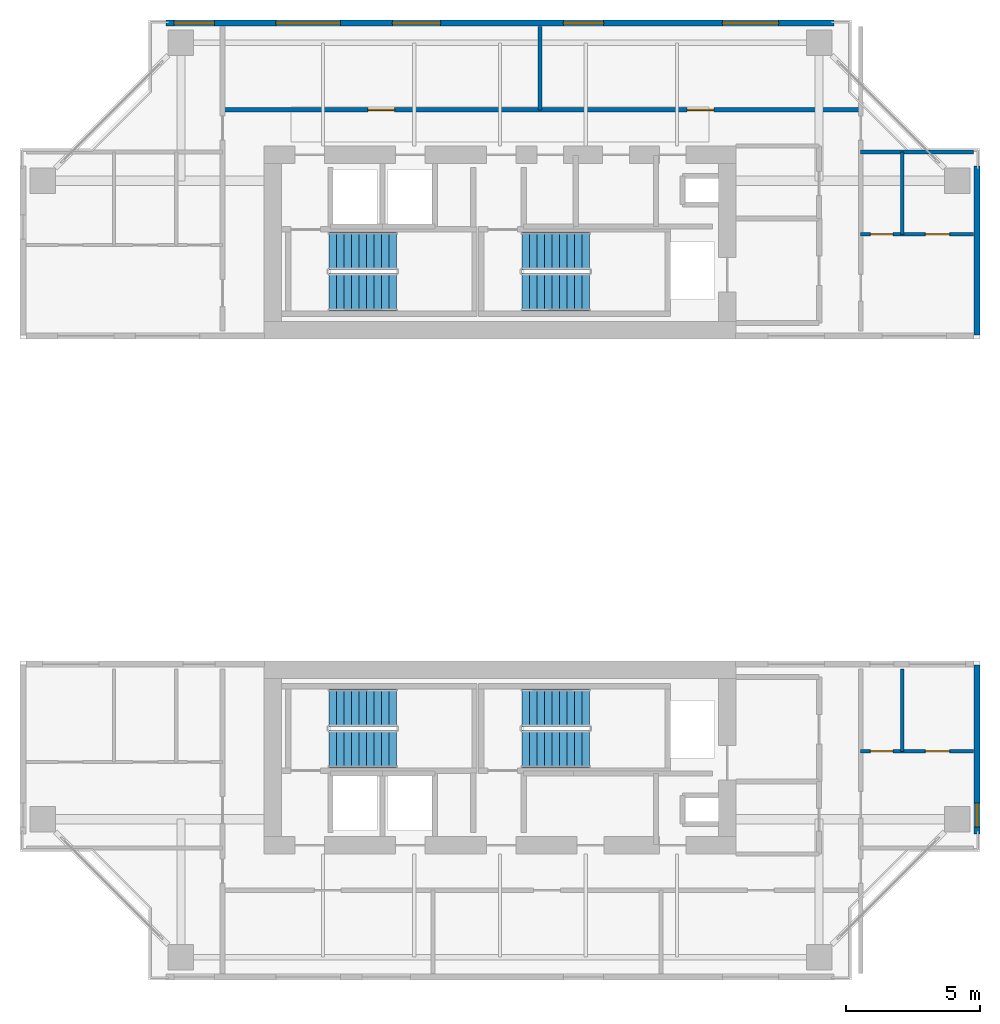
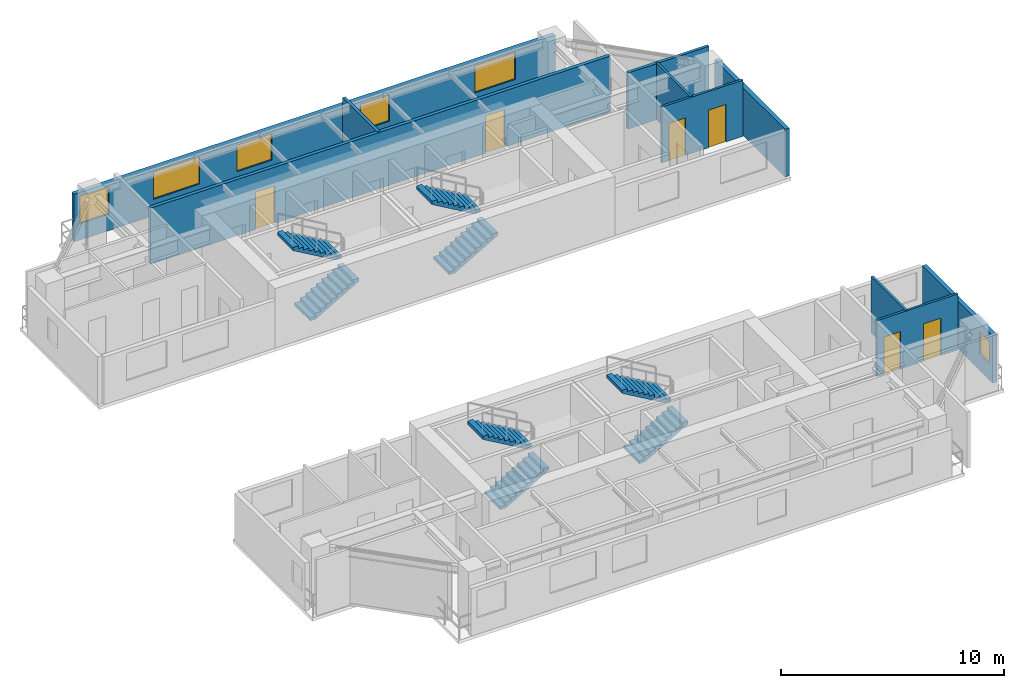
# One storey, part 10 of 12: 10 walls, 8 stair flights, 6 doors, 6 windows, 12 openings, 4 elements without a shape of their own.
"""IFC4 building model written with IfcOpenShell, lengths in metres."""

from ifc_helpers import new_model, si_unit, direction, frame, frame_2d, origin, place, context, subcontext, project, spatial, polyline, rectangle, outline, extrude, source, transform, mapped, material, layer, layer_set, type_object, element, fill, aggregate, save


model = new_model("IFC4")

# Units and contexts
model_context = context("Model", 3, precision=1e-05, world=origin(), true_north=direction((0.0, 1.0)))
body_context = subcontext(model_context, "Body", "Model", "MODEL_VIEW")
ifc_project = project(units=[si_unit("LENGTHUNIT", "METRE"), si_unit("AREAUNIT", "SQUARE_METRE"), si_unit("VOLUMEUNIT", "CUBIC_METRE"), si_unit("PLANEANGLEUNIT", "RADIAN"), si_unit("MASSUNIT", "GRAM", prefix="KILO"), si_unit("THERMODYNAMICTEMPERATUREUNIT", "KELVIN"), si_unit("POWERUNIT", "WATT")], contexts=[model_context])

# Site, building, storey
site_placement = place(None, origin())
site = spatial("IfcSite", under=ifc_project, at=site_placement, CompositionType="ELEMENT")
building_placement = place(site_placement, origin())
building = spatial("IfcBuilding", under=site, at=building_placement, Name="Qiaomeng Ring Towers", CompositionType="ELEMENT")
storey_placement = place(building_placement, frame((0.0, 0.0, 156.75)))
storey = spatial("IfcBuildingStorey", under=building, at=storey_placement, Name="L45", CompositionType="ELEMENT", Elevation=156.75)

# Wall
ifc_material_1 = material(Name="Precast concrete C40", Category="concrete")
ifc_layer_1 = layer(ifc_material_1, 0.219970703125, Name="Precast concrete C40")
ifc_layer_set_1 = layer_set([ifc_layer_1], Name="Precast concrete C40")
wall_type_1 = type_object("IfcWallType", Name="ARC-WL-EW2", PredefinedType="STANDARD", material=ifc_layer_set_1)
wall_1_placement = place(storey_placement, frame((36.7900390625, 29.14990234375, 0.0), z_axis=(0.0, 0.0, 1.0), x_axis=(0.0, 1.0, 0.0)))
element("IfcWall", 1, at=wall_1_placement, inside=storey, type_object=wall_type_1, Name="L45 Portal Wing Side Wall NWING-EL", PredefinedType="STANDARD", context=body_context, shape_type="SweptSolid", body=[
    extrude(rectangle(XDim=6.300048828125, YDim=0.219970703125, at=frame_2d((3.14990234375, 0.0))), origin(), (0.0, 0.0, 1.0), 2.610107421875),
])

# Wall, opening, window
wall_2_placement = place(storey_placement, frame((36.7900390625, 10.550048828125, 0.0), z_axis=(0.0, 0.0, 1.0), x_axis=(0.0, 1.0, 0.0)))
wall_2 = element("IfcWall", 2, at=wall_2_placement, inside=storey, type_object=wall_type_1, Name="L45 Portal Wing Side Wall SWING-EL", PredefinedType="STANDARD", context=body_context, shape_type="SweptSolid", body=[
    extrude(rectangle(XDim=6.300048828125, YDim=0.219970703125, at=frame_2d((3.14990234375, 0.0))), origin(), (0.0, 0.0, 1.0), 2.610107421875),
])
opening_1_placement = place(wall_2_placement, frame((0.25, 0.0, 0.89990234375)))
opening_1 = element("IfcOpeningElement", 3, at=opening_1_placement, cuts=wall_2, Name="Opening WN5", PredefinedType="OPENING", context=body_context, shape_type="SweptSolid", body=[
    extrude(rectangle(XDim=0.89990234375, YDim=1.199951171875, at=frame_2d((0.449951171875, 0.60009765625))), frame((0.0, 0.119873046875, 0.0), z_axis=(0.0, -1.0, 0.0), x_axis=(1.0, 0.0, 0.0)), (0.0, 0.0, 1.0), 0.239990234375),
])
ifc_material_2 = material(Name="Low-E dark-grey laminated double glazing", Category="glass")
window_type_1 = type_object("IfcWindowType", Name="ARC-WN-5", PartitioningType="SINGLE_PANEL", PredefinedType="WINDOW", material=ifc_material_2)
shared_shape_1 = source(origin(), body_context, "Body", "SweptSolid", [
    extrude(rectangle(XDim=0.89990234375, YDim=1.199951171875, at=frame_2d((0.449951171875, 0.60009765625))), frame((0.0, 0.030029296875, 0.0), z_axis=(0.0, -1.0, 0.0), x_axis=(1.0, 0.0, 0.0)), (0.0, 0.0, 1.0), 0.06005859375),
])
window_1_placement = place(opening_1_placement, origin())
window_1 = element("IfcWindow", 4, at=window_1_placement, inside=storey, type_object=window_type_1, Name="L45 Exterior Window WN5", OverallHeight=1.199951171875, OverallWidth=0.89990234375, PartitioningType="SINGLE_PANEL", PredefinedType="WINDOW", context=body_context, shape_type="MappedRepresentation", body=[
    mapped(shared_shape_1, transform((0.0, 0.0, 0.0), x_axis=(1.0, 0.0, 0.0), y_axis=(0.0, 1.0, 0.0), z_axis=(0.0, 0.0, 1.0), scale=1.0)),
])
fill(opening_1, window_1)

# Wall, openings, windows
wall_3_placement = place(storey_placement, frame((6.550048828125, 40.7900390625, 0.0), z_axis=(0.0, 0.0, 1.0), x_axis=(1.0, 0.0, 0.0)))
wall_3 = element("IfcWall", 5, at=wall_3_placement, inside=storey, type_object=wall_type_1, Name="L45 Tower 1 N Exterior Wall", PredefinedType="STANDARD", context=body_context, shape_type="SweptSolid", body=[
    extrude(rectangle(XDim=24.89990234375, YDim=0.219970703125, at=frame_2d((12.449951171875, 0.0))), origin(), (0.0, 0.0, 1.0), 2.610107421875),
])
opening_2_placement = place(wall_3_placement, frame((0.300048828125, 0.0, 0.89990234375)))
opening_2 = element("IfcOpeningElement", 6, at=opening_2_placement, cuts=wall_3, Name="Opening WN2", PredefinedType="OPENING", context=body_context, shape_type="SweptSolid", body=[
    extrude(rectangle(XDim=1.5, YDim=1.5, at=frame_2d((0.75, 0.75))), frame((0.0, 0.119873046875, 0.0), z_axis=(0.0, -1.0, 0.0), x_axis=(1.0, 0.0, 0.0)), (0.0, 0.0, 1.0), 0.239990234375),
])
opening_3_placement = place(wall_3_placement, frame((8.43798828125, 0.0, 0.89990234375)))
opening_3 = element("IfcOpeningElement", 7, at=opening_3_placement, cuts=wall_3, Name="Opening WN1", PredefinedType="OPENING", context=body_context, shape_type="SweptSolid", body=[
    extrude(rectangle(XDim=1.800048828125, YDim=1.449951171875, at=frame_2d((0.89990234375, 0.72509765625))), frame((0.0, 0.119873046875, 0.0), z_axis=(0.0, -1.0, 0.0), x_axis=(1.0, 0.0, 0.0)), (0.0, 0.0, 1.0), 0.239990234375),
])
opening_4_placement = place(wall_3_placement, frame((14.81298828125, 0.0, 0.89990234375)))
opening_4 = element("IfcOpeningElement", 8, at=opening_4_placement, cuts=wall_3, Name="Opening WN2", PredefinedType="OPENING", context=body_context, shape_type="SweptSolid", body=[
    extrude(rectangle(XDim=1.5, YDim=1.449951171875, at=frame_2d((0.75, 0.72509765625))), frame((0.0, 0.119873046875, 0.0), z_axis=(0.0, -1.0, 0.0), x_axis=(1.0, 0.0, 0.0)), (0.0, 0.0, 1.0), 0.239990234375),
])
opening_5_placement = place(wall_3_placement, frame((20.738037109375, 0.0, 0.89990234375)))
opening_5 = element("IfcOpeningElement", 9, at=opening_5_placement, cuts=wall_3, Name="Opening WN4", PredefinedType="OPENING", context=body_context, shape_type="SweptSolid", body=[
    extrude(rectangle(XDim=2.10009765625, YDim=1.47998046875, at=frame_2d((1.050048828125, 0.739990234375))), frame((0.0, 0.119873046875, 0.0), z_axis=(0.0, -1.0, 0.0), x_axis=(1.0, 0.0, 0.0)), (0.0, 0.0, 1.0), 0.239990234375),
])
opening_6_placement = place(wall_3_placement, frame((4.093994140625, 0.0, 0.89990234375)))
opening_6 = element("IfcOpeningElement", 10, at=opening_6_placement, cuts=wall_3, Name="Opening WN6", PredefinedType="OPENING", context=body_context, shape_type="SweptSolid", body=[
    extrude(rectangle(XDim=2.39990234375, YDim=1.5, at=frame_2d((1.199951171875, 0.75))), frame((0.0, 0.119873046875, 0.0), z_axis=(0.0, -1.0, 0.0), x_axis=(1.0, 0.0, 0.0)), (0.0, 0.0, 1.0), 0.239990234375),
])
window_type_2 = type_object("IfcWindowType", Name="ARC-WN-2", PartitioningType="DOUBLE_PANEL_VERTICAL", PredefinedType="WINDOW", material=ifc_material_2)
shared_shape_2 = source(origin(), body_context, "Body", "SweptSolid", [
    extrude(rectangle(XDim=1.5, YDim=1.449951171875, at=frame_2d((0.75, 0.72509765625))), frame((0.0, 0.030029296875, 0.0), z_axis=(0.0, -1.0, 0.0), x_axis=(1.0, 0.0, 0.0)), (0.0, 0.0, 1.0), 0.06005859375),
])
window_2_placement = place(opening_4_placement, origin())
window_2 = element("IfcWindow", 11, at=window_2_placement, inside=storey, type_object=window_type_2, Name="L45 Exterior Window WN2", OverallHeight=1.449951171875, OverallWidth=1.5, PartitioningType="DOUBLE_PANEL_VERTICAL", PredefinedType="WINDOW", context=body_context, shape_type="MappedRepresentation", body=[
    mapped(shared_shape_2, transform((0.0, 0.0, 0.0), x_axis=(1.0, 0.0, 0.0), y_axis=(0.0, 1.0, 0.0), z_axis=(0.0, 0.0, 1.0), scale=1.0)),
])
fill(opening_4, window_2)
window_type_3 = type_object("IfcWindowType", Name="ARC-WN-4", PartitioningType="TRIPLE_PANEL_VERTICAL", PredefinedType="WINDOW", material=ifc_material_2)
shared_shape_3 = source(origin(), body_context, "Body", "SweptSolid", [
    extrude(rectangle(XDim=2.10009765625, YDim=1.47998046875, at=frame_2d((1.050048828125, 0.739990234375))), frame((0.0, 0.030029296875, 0.0), z_axis=(0.0, -1.0, 0.0), x_axis=(1.0, 0.0, 0.0)), (0.0, 0.0, 1.0), 0.06005859375),
])
window_3_placement = place(opening_5_placement, origin())
window_3 = element("IfcWindow", 12, at=window_3_placement, inside=storey, type_object=window_type_3, Name="L45 Exterior Window WN4", OverallHeight=1.47998046875, OverallWidth=2.10009765625, PartitioningType="TRIPLE_PANEL_VERTICAL", PredefinedType="WINDOW", context=body_context, shape_type="MappedRepresentation", body=[
    mapped(shared_shape_3, transform((0.0, 0.0, 0.0), x_axis=(1.0, 0.0, 0.0), y_axis=(0.0, 1.0, 0.0), z_axis=(0.0, 0.0, 1.0), scale=1.0)),
])
fill(opening_5, window_3)
window_type_4 = type_object("IfcWindowType", Name="ARC-WN-1", PartitioningType="DOUBLE_PANEL_VERTICAL", PredefinedType="WINDOW", material=ifc_material_2)
shared_shape_4 = source(origin(), body_context, "Body", "SweptSolid", [
    extrude(rectangle(XDim=1.800048828125, YDim=1.449951171875, at=frame_2d((0.89990234375, 0.72509765625))), frame((0.0, 0.030029296875, 0.0), z_axis=(0.0, -1.0, 0.0), x_axis=(1.0, 0.0, 0.0)), (0.0, 0.0, 1.0), 0.06005859375),
])
window_4_placement = place(opening_3_placement, origin())
window_4 = element("IfcWindow", 13, at=window_4_placement, inside=storey, type_object=window_type_4, Name="L45 Exterior Window WN1", OverallHeight=1.449951171875, OverallWidth=1.800048828125, PartitioningType="DOUBLE_PANEL_VERTICAL", PredefinedType="WINDOW", context=body_context, shape_type="MappedRepresentation", body=[
    mapped(shared_shape_4, transform((0.0, 0.0, 0.0), x_axis=(1.0, 0.0, 0.0), y_axis=(0.0, 1.0, 0.0), z_axis=(0.0, 0.0, 1.0), scale=1.0)),
])
fill(opening_3, window_4)
shared_shape_5 = source(origin(), body_context, "Body", "SweptSolid", [
    extrude(rectangle(XDim=1.5, YDim=1.5, at=frame_2d((0.75, 0.75))), frame((0.0, 0.030029296875, 0.0), z_axis=(0.0, -1.0, 0.0), x_axis=(1.0, 0.0, 0.0)), (0.0, 0.0, 1.0), 0.06005859375),
])
window_5_placement = place(opening_2_placement, origin())
window_5 = element("IfcWindow", 14, at=window_5_placement, inside=storey, type_object=window_type_2, Name="L45 Exterior Window WN6", OverallHeight=1.5, OverallWidth=1.5, PartitioningType="TRIPLE_PANEL_VERTICAL", PredefinedType="WINDOW", context=body_context, shape_type="MappedRepresentation", body=[
    mapped(shared_shape_5, transform((0.0, 0.0, 0.0), x_axis=(1.0, 0.0, 0.0), y_axis=(0.0, 1.0, 0.0), z_axis=(0.0, 0.0, 1.0), scale=1.0)),
])
fill(opening_2, window_5)
window_type_5 = type_object("IfcWindowType", Name="ARC-WN-6", PartitioningType="TRIPLE_PANEL_VERTICAL", PredefinedType="WINDOW", material=ifc_material_2)
shared_shape_6 = source(origin(), body_context, "Body", "SweptSolid", [
    extrude(rectangle(XDim=2.39990234375, YDim=1.5, at=frame_2d((1.199951171875, 0.75))), frame((0.0, 0.030029296875, 0.0), z_axis=(0.0, -1.0, 0.0), x_axis=(1.0, 0.0, 0.0)), (0.0, 0.0, 1.0), 0.06005859375),
])
window_6_placement = place(opening_6_placement, origin())
window_6 = element("IfcWindow", 15, at=window_6_placement, inside=storey, type_object=window_type_5, Name="L45 Exterior Window WN6", OverallHeight=1.5, OverallWidth=2.39990234375, PartitioningType="TRIPLE_PANEL_VERTICAL", PredefinedType="WINDOW", context=body_context, shape_type="MappedRepresentation", body=[
    mapped(shared_shape_6, transform((0.0, 0.0, 0.0), x_axis=(1.0, 0.0, 0.0), y_axis=(0.0, 1.0, 0.0), z_axis=(0.0, 0.0, 1.0), scale=1.0)),
])
fill(opening_6, window_6)

# Wall, openings, doors
ifc_material_3 = material(Name="Autoclaved aerated concrete block", Category="concrete")
ifc_layer_2 = layer(ifc_material_3, 0.179931640625, Name="Autoclaved aerated concrete block")
ifc_layer_set_2 = layer_set([ifc_layer_2], Name="Autoclaved aerated concrete block")
wall_type_2 = type_object("IfcWallType", Name="ARC-WL-PW2", PredefinedType="PARTITIONING", material=ifc_layer_set_2)
wall_4_placement = place(storey_placement, frame((8.64990234375, 37.550048828125, 0.0), z_axis=(0.0, 0.0, 1.0), x_axis=(1.0, 0.0, 0.0)))
wall_4 = element("IfcWall", 16, at=wall_4_placement, inside=storey, type_object=wall_type_2, Name="L45 Interior Wall PW2", PredefinedType="PARTITIONING", context=body_context, shape_type="SweptSolid", body=[
    extrude(rectangle(XDim=23.800048828125, YDim=0.179931640625, at=frame_2d((11.89990234375, 0.0))), origin(), (0.0, 0.0, 1.0), 3.070068359375),
])
opening_7_placement = place(wall_4_placement, frame((5.425048828125, 0.0, 0.0)))
opening_7 = element("IfcOpeningElement", 17, at=opening_7_placement, cuts=wall_4, Name="Opening FD4", PredefinedType="OPENING", context=body_context, shape_type="SweptSolid", body=[
    extrude(rectangle(XDim=1.0, YDim=2.050048828125, at=frame_2d((0.5, 1.02490234375))), frame((0.0, 0.099853515625, 0.0), z_axis=(0.0, -1.0, 0.0), x_axis=(1.0, 0.0, 0.0)), (0.0, 0.0, 1.0), 0.199951171875),
])
opening_8_placement = place(wall_4_placement, frame((17.324951171875, 0.0, 0.0)))
opening_8 = element("IfcOpeningElement", 18, at=opening_8_placement, cuts=wall_4, Name="Opening FD4", PredefinedType="OPENING", context=body_context, shape_type="SweptSolid", body=[
    extrude(rectangle(XDim=1.0, YDim=2.050048828125, at=frame_2d((0.5, 1.02490234375))), frame((0.0, 0.099853515625, 0.0), z_axis=(0.0, -1.0, 0.0), x_axis=(1.0, 0.0, 0.0)), (0.0, 0.0, 1.0), 0.199951171875),
])
ifc_material_4 = material(Name="Engineered fire-rated oak timber", Category="wood")
door_type_1 = type_object("IfcDoorType", Name="ARC-DR-FD4", OperationType="NOTDEFINED", PredefinedType="DOOR", material=ifc_material_4)
shared_shape_7 = source(origin(), body_context, "Body", "SweptSolid", [
    extrude(rectangle(XDim=1.0, YDim=2.050048828125, at=frame_2d((0.5, 1.02490234375))), frame((0.0, 0.02490234375, 0.0), z_axis=(0.0, -1.0, 0.0), x_axis=(1.0, 0.0, 0.0)), (0.0, 0.0, 1.0), 0.050048828125),
])
door_1_placement = place(opening_7_placement, origin())
door_1 = element("IfcDoor", 19, at=door_1_placement, inside=storey, type_object=door_type_1, Name="L45 Door FD4", OperationType="SINGLE_SWING_RIGHT", OverallHeight=2.050048828125, OverallWidth=1.0, PredefinedType="DOOR", context=body_context, shape_type="MappedRepresentation", body=[
    mapped(shared_shape_7, transform((0.0, 0.0, 0.0), x_axis=(1.0, 0.0, 0.0), y_axis=(0.0, 1.0, 0.0), z_axis=(0.0, 0.0, 1.0), scale=1.0)),
])
fill(opening_7, door_1)
door_2_placement = place(opening_8_placement, origin())
door_2 = element("IfcDoor", 20, at=door_2_placement, inside=storey, type_object=door_type_1, Name="L45 Door FD4", OperationType="SINGLE_SWING_LEFT", OverallHeight=2.050048828125, OverallWidth=1.0, PredefinedType="DOOR", context=body_context, shape_type="MappedRepresentation", body=[
    mapped(shared_shape_7, transform((0.0, 0.0, 0.0), x_axis=(1.0, 0.0, 0.0), y_axis=(0.0, 1.0, 0.0), z_axis=(0.0, 0.0, 1.0), scale=1.0)),
])
fill(opening_8, door_2)

# Walls
ifc_material_5 = material(Name="Gypsum fireboard steel-stud partition", Category="steel")
ifc_layer_3 = layer(ifc_material_5, 0.14990234375, Name="Gypsum fireboard steel-stud partition")
ifc_layer_set_3 = layer_set([ifc_layer_3], Name="Gypsum fireboard steel-stud partition")
wall_type_3 = type_object("IfcWallType", Name="ARC-WL-PW3", PredefinedType="PARTITIONING", material=ifc_layer_set_3)
wall_5_placement = place(storey_placement, frame((32.449951171875, 35.97998046875, 0.0), z_axis=(0.0, 0.0, 1.0), x_axis=(1.0, 0.0, 0.0)))
element("IfcWall", 21, at=wall_5_placement, inside=storey, type_object=wall_type_3, Name="L45 Interior Wall PW3", PredefinedType="PARTITIONING", context=body_context, shape_type="SweptSolid", body=[
    extrude(rectangle(XDim=4.199951171875, YDim=0.14990234375, at=frame_2d((2.10009765625, 0.0))), origin(), (0.0, 0.0, 1.0), 3.070068359375),
])
wall_6_placement = place(storey_placement, frame((20.5, 37.550048828125, 0.0), z_axis=(0.0, 0.0, 1.0), x_axis=(0.0, 1.0, 0.0)))
element("IfcWall", 22, at=wall_6_placement, inside=storey, type_object=wall_type_3, Name="L45 Interior Wall PW3", PredefinedType="PARTITIONING", context=body_context, shape_type="SweptSolid", body=[
    extrude(rectangle(XDim=3.099853515625, YDim=0.14990234375, at=frame_2d((1.5498046875, 0.0))), origin(), (0.0, 0.0, 1.0), 3.070068359375),
])

# Wall, openings, doors
ifc_material_6 = material(Name="Moisture-resistant gypsum steel-stud partition", Category="steel")
ifc_layer_4 = layer(ifc_material_6, 0.1201171875, Name="Moisture-resistant gypsum steel-stud partition")
ifc_layer_set_4 = layer_set([ifc_layer_4], Name="Moisture-resistant gypsum steel-stud partition")
wall_type_4 = type_object("IfcWallType", Name="ARC-WL-PW4", PredefinedType="PLUMBINGWALL", material=ifc_layer_set_4)
wall_7_placement = place(storey_placement, frame((32.449951171875, 32.909912109375, 0.0), z_axis=(0.0, 0.0, 1.0), x_axis=(1.0, 0.0, 0.0)))
wall_7 = element("IfcWall", 23, at=wall_7_placement, inside=storey, type_object=wall_type_4, Name="L45 Interior Wall PW4", PredefinedType="PLUMBINGWALL", context=body_context, shape_type="SweptSolid", body=[
    extrude(rectangle(XDim=4.199951171875, YDim=0.1201171875, at=frame_2d((2.10009765625, 0.0))), origin(), (0.0, 0.0, 1.0), 3.070068359375),
])
opening_9_placement = place(wall_7_placement, frame((0.360107421875, 0.0, 0.0)))
opening_9 = element("IfcOpeningElement", 24, at=opening_9_placement, cuts=wall_7, Name="Opening ID2", PredefinedType="OPENING", context=body_context, shape_type="SweptSolid", body=[
    extrude(rectangle(XDim=0.85009765625, YDim=2.050048828125, at=frame_2d((0.425048828125, 1.02490234375))), frame((0.0, 0.070068359375, 0.0), z_axis=(0.0, -1.0, 0.0), x_axis=(1.0, 0.0, 0.0)), (0.0, 0.0, 1.0), 0.14013671875),
])
opening_10_placement = place(wall_7_placement, frame((2.4150390625, 0.0, 0.0)))
opening_10 = element("IfcOpeningElement", 25, at=opening_10_placement, cuts=wall_7, Name="Opening ID1", PredefinedType="OPENING", context=body_context, shape_type="SweptSolid", body=[
    extrude(rectangle(XDim=0.89990234375, YDim=2.050048828125, at=frame_2d((0.449951171875, 1.02490234375))), frame((0.0, 0.070068359375, 0.0), z_axis=(0.0, -1.0, 0.0), x_axis=(1.0, 0.0, 0.0)), (0.0, 0.0, 1.0), 0.14013671875),
])
ifc_material_7 = material(Name="Moisture-resistant engineered timber", Category="wood")
door_type_2 = type_object("IfcDoorType", Name="ARC-DR-ID2", OperationType="NOTDEFINED", PredefinedType="DOOR", material=ifc_material_7)
shared_shape_8 = source(origin(), body_context, "Body", "SweptSolid", [
    extrude(rectangle(XDim=0.85009765625, YDim=2.050048828125, at=frame_2d((0.425048828125, 1.02490234375))), frame((0.0, 0.02490234375, 0.0), z_axis=(0.0, -1.0, 0.0), x_axis=(1.0, 0.0, 0.0)), (0.0, 0.0, 1.0), 0.050048828125),
])
door_3_placement = place(opening_9_placement, origin())
door_3 = element("IfcDoor", 26, at=door_3_placement, inside=storey, type_object=door_type_2, Name="L45 Door ID2", OperationType="SINGLE_SWING_RIGHT", OverallHeight=2.050048828125, OverallWidth=0.85009765625, PredefinedType="DOOR", context=body_context, shape_type="MappedRepresentation", body=[
    mapped(shared_shape_8, transform((0.0, 0.0, 0.0), x_axis=(1.0, 0.0, 0.0), y_axis=(0.0, 1.0, 0.0), z_axis=(0.0, 0.0, 1.0), scale=1.0)),
])
fill(opening_9, door_3)
ifc_material_8 = material(Name="Engineered oak timber", Category="wood")
door_type_3 = type_object("IfcDoorType", Name="ARC-DR-ID1", OperationType="NOTDEFINED", PredefinedType="DOOR", material=ifc_material_8)
shared_shape_9 = source(origin(), body_context, "Body", "SweptSolid", [
    extrude(rectangle(XDim=0.89990234375, YDim=2.050048828125, at=frame_2d((0.449951171875, 1.02490234375))), frame((0.0, 0.02490234375, 0.0), z_axis=(0.0, -1.0, 0.0), x_axis=(1.0, 0.0, 0.0)), (0.0, 0.0, 1.0), 0.050048828125),
])
door_4_placement = place(opening_10_placement, origin())
door_4 = element("IfcDoor", 27, at=door_4_placement, inside=storey, type_object=door_type_3, Name="L45 Door ID1", OperationType="SINGLE_SWING_LEFT", OverallHeight=2.050048828125, OverallWidth=0.89990234375, PredefinedType="DOOR", context=body_context, shape_type="MappedRepresentation", body=[
    mapped(shared_shape_9, transform((0.0, 0.0, 0.0), x_axis=(1.0, 0.0, 0.0), y_axis=(0.0, 1.0, 0.0), z_axis=(0.0, 0.0, 1.0), scale=1.0)),
])
fill(opening_10, door_4)

# Wall
wall_8_placement = place(storey_placement, frame((34.0, 32.909912109375, 0.0), z_axis=(0.0, 0.0, 1.0), x_axis=(0.0, 1.0, 0.0)))
element("IfcWall", 28, at=wall_8_placement, inside=storey, type_object=wall_type_4, Name="L45 Interior Wall PW4", PredefinedType="PLUMBINGWALL", context=body_context, shape_type="SweptSolid", body=[
    extrude(rectangle(XDim=3.070068359375, YDim=0.1201171875, at=frame_2d((1.53515625, 0.0))), origin(), (0.0, 0.0, 1.0), 3.070068359375),
])

# Wall, openings, doors
wall_9_placement = place(storey_placement, frame((32.449951171875, 13.6298828125, 0.0), z_axis=(0.0, 0.0, 1.0), x_axis=(1.0, 0.0, 0.0)))
wall_9 = element("IfcWall", 29, at=wall_9_placement, inside=storey, type_object=wall_type_4, Name="L45 Interior Wall PW4", PredefinedType="PLUMBINGWALL", context=body_context, shape_type="SweptSolid", body=[
    extrude(rectangle(XDim=4.199951171875, YDim=0.1201171875, at=frame_2d((2.10009765625, 0.0))), origin(), (0.0, 0.0, 1.0), 3.070068359375),
])
opening_11_placement = place(wall_9_placement, frame((0.360107421875, 0.0, 0.0)))
opening_11 = element("IfcOpeningElement", 30, at=opening_11_placement, cuts=wall_9, Name="Opening ID2", PredefinedType="OPENING", context=body_context, shape_type="SweptSolid", body=[
    extrude(rectangle(XDim=0.85009765625, YDim=2.050048828125, at=frame_2d((0.425048828125, 1.02490234375))), frame((0.0, 0.070068359375, 0.0), z_axis=(0.0, -1.0, 0.0), x_axis=(1.0, 0.0, 0.0)), (0.0, 0.0, 1.0), 0.14013671875),
])
opening_12_placement = place(wall_9_placement, frame((2.4150390625, 0.0, 0.0)))
opening_12 = element("IfcOpeningElement", 31, at=opening_12_placement, cuts=wall_9, Name="Opening ID1", PredefinedType="OPENING", context=body_context, shape_type="SweptSolid", body=[
    extrude(rectangle(XDim=0.89990234375, YDim=2.050048828125, at=frame_2d((0.449951171875, 1.02490234375))), frame((0.0, 0.070068359375, 0.0), z_axis=(0.0, -1.0, 0.0), x_axis=(1.0, 0.0, 0.0)), (0.0, 0.0, 1.0), 0.14013671875),
])
door_5_placement = place(opening_11_placement, origin())
door_5 = element("IfcDoor", 32, at=door_5_placement, inside=storey, type_object=door_type_2, Name="L45 Door ID2", OperationType="SINGLE_SWING_LEFT", OverallHeight=2.050048828125, OverallWidth=0.85009765625, PredefinedType="DOOR", context=body_context, shape_type="MappedRepresentation", body=[
    mapped(shared_shape_8, transform((0.0, 0.0, 0.0), x_axis=(1.0, 0.0, 0.0), y_axis=(0.0, 1.0, 0.0), z_axis=(0.0, 0.0, 1.0), scale=1.0)),
])
fill(opening_11, door_5)
door_6_placement = place(opening_12_placement, origin())
door_6 = element("IfcDoor", 33, at=door_6_placement, inside=storey, type_object=door_type_3, Name="L45 Door ID1", OperationType="SINGLE_SWING_RIGHT", OverallHeight=2.050048828125, OverallWidth=0.89990234375, PredefinedType="DOOR", context=body_context, shape_type="MappedRepresentation", body=[
    mapped(shared_shape_9, transform((0.0, 0.0, 0.0), x_axis=(1.0, 0.0, 0.0), y_axis=(0.0, 1.0, 0.0), z_axis=(0.0, 0.0, 1.0), scale=1.0)),
])
fill(opening_12, door_6)

# Wall
wall_10_placement = place(storey_placement, frame((34.0, 13.6298828125, 0.0), z_axis=(0.0, 0.0, 1.0), x_axis=(0.0, 1.0, 0.0)))
element("IfcWall", 34, at=wall_10_placement, inside=storey, type_object=wall_type_4, Name="L45 Interior Wall PW4", PredefinedType="PLUMBINGWALL", context=body_context, shape_type="SweptSolid", body=[
    extrude(rectangle(XDim=3.070068359375, YDim=0.1201171875, at=frame_2d((1.53515625, 0.0))), origin(), (0.0, 0.0, 1.0), 3.070068359375),
])

# Stair, stair flights
stair_type = type_object("IfcStairType", Name="ARC-ST-325", PredefinedType="HALF_TURN_STAIR", material=ifc_material_1)
stair_1_placement = place(storey_placement, origin())
stair_1 = element("IfcStair", 35, at=stair_1_placement, inside=storey, type_object=stair_type, Name="L45 Tower 1 North Stair 1", PredefinedType="HALF_TURN_STAIR")
stair_flight_type = type_object("IfcStairFlightType", Name="ARC-ST-325-FL", PredefinedType="STRAIGHT", material=ifc_material_1)
shared_shape_10 = source(origin(), body_context, "Body", "SweptSolid", [
    extrude(outline(polyline([(0.0, 0.0), (0.0, 0.16259765625), (0.280029296875, 0.16259765625), (0.280029296875, 0.324951171875), (0.56005859375, 0.324951171875), (0.56005859375, 0.487548828125), (0.840087890625, 0.487548828125), (0.840087890625, 0.64990234375), (1.1201171875, 0.64990234375), (1.1201171875, 0.8125), (1.39990234375, 0.8125), (1.39990234375, 0.97509765625), (1.679931640625, 0.97509765625), (1.679931640625, 1.137451171875), (1.9599609375, 1.137451171875), (1.9599609375, 1.300048828125), (2.239990234375, 1.300048828125), (2.239990234375, 1.46240234375), (2.52001953125, 1.46240234375), (2.52001953125, 1.625), (2.52001953125, 1.2890625), (0.298583984375, 0.0), (0.0, 0.0)])), frame((0.0, 0.699951171875, 0.0), z_axis=(0.0, -1.0, 0.0), x_axis=(1.0, 0.0, 0.0)), (0.0, 0.0, 1.0), 1.39990234375),
])
stair_flight_1_placement = place(storey_placement, frame((12.6201171875, 30.75, 0.0), z_axis=(0.0, 0.0, 1.0), x_axis=(1.0, 0.0, 0.0)))
stair_flight_1 = element("IfcStairFlight", 36, at=stair_flight_1_placement, type_object=stair_flight_type, Name="ST1 flight 1", NumberOfRisers=10, NumberOfTreads=9, PredefinedType="STRAIGHT", RiserHeight=0.1625, TreadLength=0.28, context=body_context, shape_type="MappedRepresentation", body=[
    mapped(shared_shape_10, transform((0.0, 0.0, 0.0), x_axis=(1.0, 0.0, 0.0), y_axis=(0.0, 1.0, 0.0), z_axis=(0.0, 0.0, 1.0), scale=1.0)),
])
stair_flight_2_placement = place(storey_placement, frame((15.139892578125, 32.2900390625, 1.625), z_axis=(0.0, 0.0, 1.0), x_axis=(-1.0, 0.0, 0.0)))
stair_flight_2 = element("IfcStairFlight", 37, at=stair_flight_2_placement, type_object=stair_flight_type, Name="ST1 flight 2", NumberOfRisers=10, NumberOfTreads=9, PredefinedType="STRAIGHT", RiserHeight=0.1625, TreadLength=0.28, context=body_context, shape_type="MappedRepresentation", body=[
    mapped(shared_shape_10, transform((0.0, 0.0, 0.0), x_axis=(1.0, 0.0, 0.0), y_axis=(0.0, 1.0, 0.0), z_axis=(0.0, 0.0, 1.0), scale=1.0)),
])
aggregate(stair_1, [stair_flight_1, stair_flight_2])

stair_2_placement = place(storey_placement, origin())
stair_2 = element("IfcStair", 38, at=stair_2_placement, inside=storey, type_object=stair_type, Name="L45 Tower 1 North Stair 2", PredefinedType="HALF_TURN_STAIR")
stair_flight_3_placement = place(storey_placement, frame((19.820068359375, 30.75, 0.0), z_axis=(0.0, 0.0, 1.0), x_axis=(1.0, 0.0, 0.0)))
stair_flight_3 = element("IfcStairFlight", 39, at=stair_flight_3_placement, type_object=stair_flight_type, Name="ST2 flight 1", NumberOfRisers=10, NumberOfTreads=9, PredefinedType="STRAIGHT", RiserHeight=0.1625, TreadLength=0.28, context=body_context, shape_type="MappedRepresentation", body=[
    mapped(shared_shape_10, transform((0.0, 0.0, 0.0), x_axis=(1.0, 0.0, 0.0), y_axis=(0.0, 1.0, 0.0), z_axis=(0.0, 0.0, 1.0), scale=1.0)),
])
stair_flight_4_placement = place(storey_placement, frame((22.340087890625, 32.2900390625, 1.625), z_axis=(0.0, 0.0, 1.0), x_axis=(-1.0, 0.0, 0.0)))
stair_flight_4 = element("IfcStairFlight", 40, at=stair_flight_4_placement, type_object=stair_flight_type, Name="ST2 flight 2", NumberOfRisers=10, NumberOfTreads=9, PredefinedType="STRAIGHT", RiserHeight=0.1625, TreadLength=0.28, context=body_context, shape_type="MappedRepresentation", body=[
    mapped(shared_shape_10, transform((0.0, 0.0, 0.0), x_axis=(1.0, 0.0, 0.0), y_axis=(0.0, 1.0, 0.0), z_axis=(0.0, 0.0, 1.0), scale=1.0)),
])
aggregate(stair_2, [stair_flight_3, stair_flight_4])

stair_3_placement = place(storey_placement, origin())
stair_3 = element("IfcStair", 41, at=stair_3_placement, inside=storey, type_object=stair_type, Name="L45 Tower 1 South Stair 3", PredefinedType="HALF_TURN_STAIR")
stair_flight_5_placement = place(storey_placement, frame((12.6201171875, 13.7099609375, 0.0), z_axis=(0.0, 0.0, 1.0), x_axis=(1.0, 0.0, 0.0)))
stair_flight_5 = element("IfcStairFlight", 42, at=stair_flight_5_placement, type_object=stair_flight_type, Name="ST3 flight 1", NumberOfRisers=10, NumberOfTreads=9, PredefinedType="STRAIGHT", RiserHeight=0.1625, TreadLength=0.28, context=body_context, shape_type="MappedRepresentation", body=[
    mapped(shared_shape_10, transform((0.0, 0.0, 0.0), x_axis=(1.0, 0.0, 0.0), y_axis=(0.0, 1.0, 0.0), z_axis=(0.0, 0.0, 1.0), scale=1.0)),
])
stair_flight_6_placement = place(storey_placement, frame((15.139892578125, 15.25, 1.625), z_axis=(0.0, 0.0, 1.0), x_axis=(-1.0, 0.0, 0.0)))
stair_flight_6 = element("IfcStairFlight", 43, at=stair_flight_6_placement, type_object=stair_flight_type, Name="ST3 flight 2", NumberOfRisers=10, NumberOfTreads=9, PredefinedType="STRAIGHT", RiserHeight=0.1625, TreadLength=0.28, context=body_context, shape_type="MappedRepresentation", body=[
    mapped(shared_shape_10, transform((0.0, 0.0, 0.0), x_axis=(1.0, 0.0, 0.0), y_axis=(0.0, 1.0, 0.0), z_axis=(0.0, 0.0, 1.0), scale=1.0)),
])
aggregate(stair_3, [stair_flight_5, stair_flight_6])

stair_4_placement = place(storey_placement, origin())
stair_4 = element("IfcStair", 44, at=stair_4_placement, inside=storey, type_object=stair_type, Name="L45 Tower 1 South Stair 4", PredefinedType="HALF_TURN_STAIR")
stair_flight_7_placement = place(storey_placement, frame((19.820068359375, 13.7099609375, 0.0), z_axis=(0.0, 0.0, 1.0), x_axis=(1.0, 0.0, 0.0)))
stair_flight_7 = element("IfcStairFlight", 45, at=stair_flight_7_placement, type_object=stair_flight_type, Name="ST4 flight 1", NumberOfRisers=10, NumberOfTreads=9, PredefinedType="STRAIGHT", RiserHeight=0.1625, TreadLength=0.28, context=body_context, shape_type="MappedRepresentation", body=[
    mapped(shared_shape_10, transform((0.0, 0.0, 0.0), x_axis=(1.0, 0.0, 0.0), y_axis=(0.0, 1.0, 0.0), z_axis=(0.0, 0.0, 1.0), scale=1.0)),
])
stair_flight_8_placement = place(storey_placement, frame((22.340087890625, 15.25, 1.625), z_axis=(0.0, 0.0, 1.0), x_axis=(-1.0, 0.0, 0.0)))
stair_flight_8 = element("IfcStairFlight", 46, at=stair_flight_8_placement, type_object=stair_flight_type, Name="ST4 flight 2", NumberOfRisers=10, NumberOfTreads=9, PredefinedType="STRAIGHT", RiserHeight=0.1625, TreadLength=0.28, context=body_context, shape_type="MappedRepresentation", body=[
    mapped(shared_shape_10, transform((0.0, 0.0, 0.0), x_axis=(1.0, 0.0, 0.0), y_axis=(0.0, 1.0, 0.0), z_axis=(0.0, 0.0, 1.0), scale=1.0)),
])
aggregate(stair_4, [stair_flight_7, stair_flight_8])

save(model, "model.ifc")
